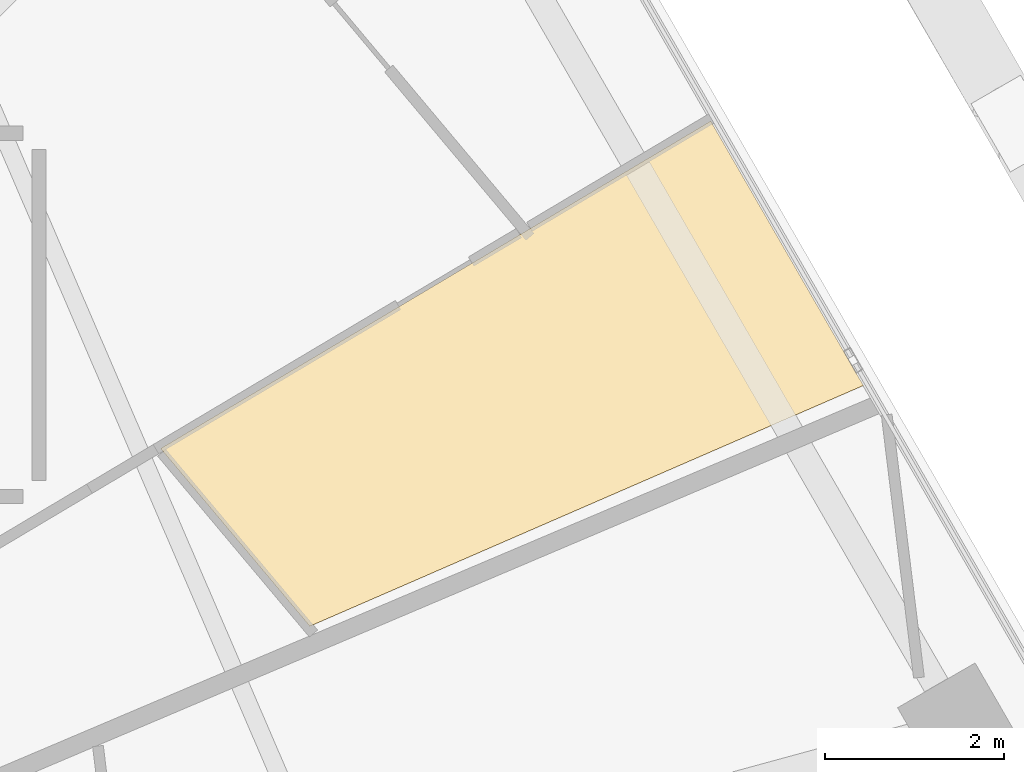
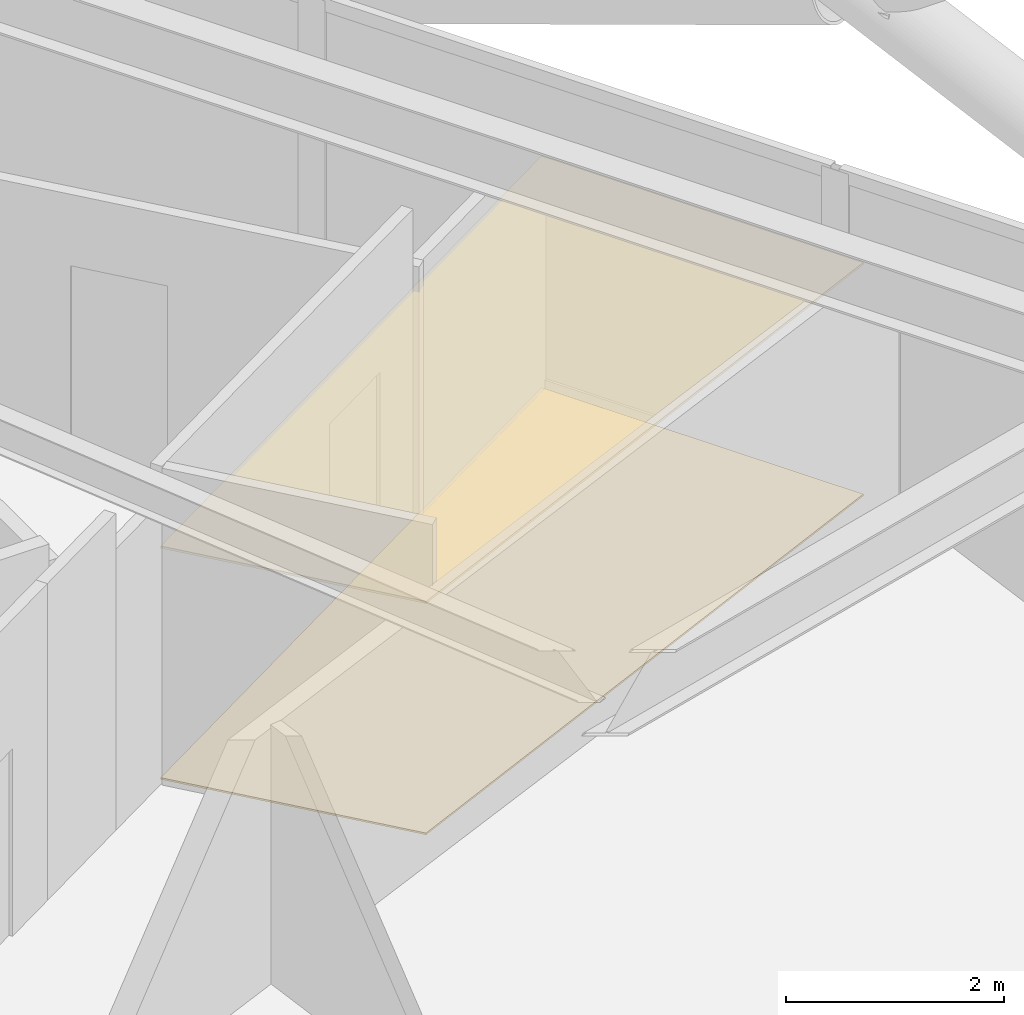
# One storey, part 29 of 29: 2 coverings.
"""IFC4 building model written with IfcOpenShell, lengths in metres."""

from ifc_helpers import new_model, si_unit, direction, frame, origin, place, context, subcontext, project, spatial, polyline, outline, extrude, material, layer, layer_set, type_object, element, save


model = new_model("IFC4")

# Units and contexts
model_context = context("Model", 3, precision=1e-05, world=origin(), true_north=direction((0.0, 1.0)))
body_context = subcontext(model_context, "Body", "Model", "MODEL_VIEW")
ifc_project = project(units=[si_unit("LENGTHUNIT", "METRE"), si_unit("AREAUNIT", "SQUARE_METRE"), si_unit("VOLUMEUNIT", "CUBIC_METRE"), si_unit("PLANEANGLEUNIT", "RADIAN"), si_unit("MASSUNIT", "GRAM", prefix="KILO")], contexts=[model_context])

# Site, building, storey
site_placement = place(None, origin())
site = spatial("IfcSite", under=ifc_project, at=site_placement, CompositionType="ELEMENT")
building_placement = place(site_placement, origin())
building = spatial("IfcBuilding", under=site, at=building_placement, Name="Zuhravey Tower", CompositionType="ELEMENT")
storey_placement = place(building_placement, frame((0.0, 0.0, 161.800048828125)))
storey = spatial("IfcBuildingStorey", under=building, at=storey_placement, Name="L40", CompositionType="ELEMENT", Elevation=161.800048828125)

# Coverings
ifc_material_1 = material(Name="Mineral-fibre acoustic ceiling tile")
ifc_layer_1 = layer(ifc_material_1, 0.02490234375)
ifc_layer_set_1 = layer_set([ifc_layer_1], Name="Mineral-fibre acoustic ceiling tile")
covering_type_1 = type_object("IfcCoveringType", Name="Acoustic Suspended Ceiling", PredefinedType="CEILING", material=ifc_layer_set_1)
covering_1_placement = place(storey_placement, frame((0.0, 0.0, 2.58984375)))
element("IfcCovering", 1, at=covering_1_placement, inside=storey, type_object=covering_type_1, Name="L40 Acoustic Suspended Ceiling CLG1", PredefinedType="CEILING", context=body_context, shape_type="SweptSolid", body=[
    extrude(outline(polyline([(59.336669921875, 45.8662109375), (61.042724609375, 42.91064453125), (54.85498046875, 40.22021484375), (53.18798828125, 42.20654296875), (59.336669921875, 45.8662109375)])), origin(), (0.0, 0.0, 1.0), 0.025146484375),
])
ifc_material_2 = material(Name="Porcelain tile finish")
ifc_layer_2 = layer(ifc_material_2, 0.02001953125)
ifc_layer_set_2 = layer_set([ifc_layer_2], Name="Porcelain tile finish")
covering_type_2 = type_object("IfcCoveringType", Name="Apartment Ondol Porcelain Flooring", PredefinedType="FLOORING", material=ifc_layer_set_2)
covering_2_placement = place(storey_placement, origin())
element("IfcCovering", 2, at=covering_2_placement, inside=storey, type_object=covering_type_2, Name="L40 Principal Room Acoustic Flooring", PredefinedType="FLOORING", context=body_context, shape_type="SweptSolid", body=[
    extrude(outline(polyline([(59.336669921875, 45.8662109375), (61.042724609375, 42.91064453125), (54.85498046875, 40.22021484375), (53.18798828125, 42.20654296875), (59.336669921875, 45.8662109375)])), origin(), (0.0, 0.0, 1.0), 0.02001953125),
])

save(model, "model.ifc")
